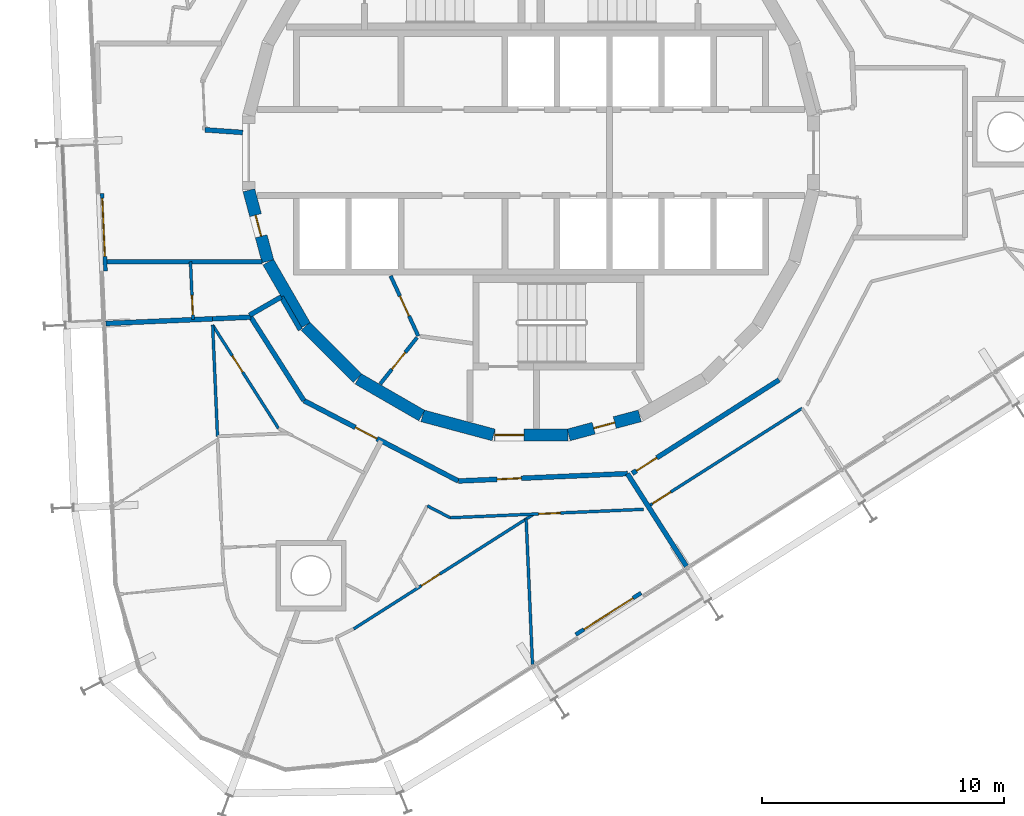
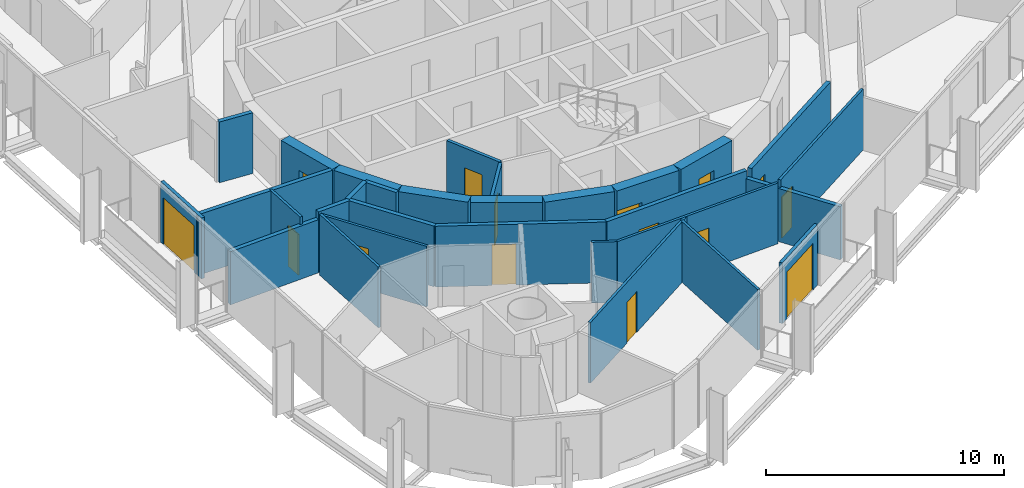
# One storey, part 12 of 18: 30 walls, 15 doors, 15 openings.
"""IFC4 building model written with IfcOpenShell, lengths in metres."""

from ifc_helpers import new_model, si_unit, direction, frame, frame_2d, origin, place, context, subcontext, project, spatial, rectangle, extrude, material, layer, layer_set, type_object, element, fill, save


model = new_model("IFC4")

# Units and contexts
model_context = context("Model", 3, precision=1e-05, world=origin(), true_north=direction((0.0, 1.0)))
body_context = subcontext(model_context, "Body", "Model", "MODEL_VIEW")
ifc_project = project(units=[si_unit("LENGTHUNIT", "METRE"), si_unit("AREAUNIT", "SQUARE_METRE"), si_unit("VOLUMEUNIT", "CUBIC_METRE"), si_unit("PLANEANGLEUNIT", "RADIAN"), si_unit("MASSUNIT", "GRAM", prefix="KILO")], contexts=[model_context])

# Site, building, storey
site_placement = place(None, origin())
site = spatial("IfcSite", under=ifc_project, at=site_placement, CompositionType="ELEMENT")
building_placement = place(site_placement, origin())
building = spatial("IfcBuilding", under=site, at=building_placement, Name="Spindle Arch Residences", CompositionType="ELEMENT")
storey_placement = place(building_placement, frame((0.0, 0.0, 233.699951171875)))
storey = spatial("IfcBuildingStorey", under=building, at=storey_placement, Name="L59", CompositionType="ELEMENT", Elevation=233.699951171875)

# Wall, opening, door
ifc_material_1 = material(Name="Concrete C50/60", Category="concrete")
ifc_layer_1 = layer(ifc_material_1, 0.5)
ifc_layer_set_1 = layer_set([ifc_layer_1], Name="Core outline wall 500")
wall_type_1 = type_object("IfcWallType", Name="Core outline wall 500", PredefinedType="SHEAR", material=ifc_layer_set_1)
wall_1_placement = place(storey_placement, frame((1.5498046875, -11.642822265625, 0.0), z_axis=(0.0, 0.0, 1.0), x_axis=(0.965948410781, 0.258734743916, 0.0)))
wall_1 = element("IfcWall", 1, at=wall_1_placement, inside=storey, type_object=wall_type_1, Name="Core outline wall 1", PredefinedType="SHEAR", context=body_context, shape_type="SweptSolid", body=[
    extrude(rectangle(XDim=3.03271484375, YDim=0.5, at=frame_2d((1.516357421875, 0.0))), origin(), (0.0, 0.0, 1.0), 3.1201171875),
])
opening_1_placement = place(wall_1_placement, frame((1.06640625, 0.0, 0.0)))
opening_1 = element("IfcOpeningElement", 2, at=opening_1_placement, cuts=wall_1, Name="Opening R6A0-WD09", PredefinedType="OPENING", context=body_context, shape_type="SweptSolid", body=[
    extrude(rectangle(XDim=0.89990234375, YDim=2.10009765625, at=frame_2d((0.449951171875, 1.050048828125))), frame((0.0, 0.260009765625, 0.0), z_axis=(0.0, -1.0, 0.0), x_axis=(1.0, 0.0, 0.0)), (0.0, 0.0, 1.0), 0.52001953125),
])
ifc_material_2 = material(Name="Steel, fire-resisting door", Category="steel")
door_type_1 = type_object("IfcDoorType", Name="Service room door 900x2100", OperationType="SINGLE_SWING_LEFT", PredefinedType="DOOR", material=ifc_material_2)
door_1_placement = place(opening_1_placement, origin())
door_1 = element("IfcDoor", 3, at=door_1_placement, inside=storey, type_object=door_type_1, Name="Service room door R6A0-WD09", OperationType="SINGLE_SWING_LEFT", OverallHeight=2.10009765625, OverallWidth=0.89990234375, PredefinedType="DOOR", context=body_context, shape_type="SweptSolid", body=[
    extrude(rectangle(XDim=0.89990234375, YDim=2.10009765625, at=frame_2d((0.449951171875, 1.050048828125))), frame((0.0, 0.02490234375, 0.0), z_axis=(0.0, -1.0, 0.0), x_axis=(1.0, 0.0, 0.0)), (0.0, 0.0, 1.0), 0.050048828125),
])
fill(opening_1, door_1)

wall_2_placement = place(storey_placement, frame((-11.642822265625, -1.5498046875, 0.0), z_axis=(0.0, 0.0, 1.0), x_axis=(0.258734743916, -0.965948410781, 0.0)))
wall_2 = element("IfcWall", 4, at=wall_2_placement, inside=storey, type_object=wall_type_1, Name="Core outline wall 19", PredefinedType="SHEAR", context=body_context, shape_type="SweptSolid", body=[
    extrude(rectangle(XDim=3.03271484375, YDim=0.5, at=frame_2d((1.516357421875, 0.0))), origin(), (0.0, 0.0, 1.0), 3.1201171875),
])
opening_2_placement = place(wall_2_placement, frame((1.06640625, 0.0, 0.0)))
opening_2 = element("IfcOpeningElement", 5, at=opening_2_placement, cuts=wall_2, Name="Opening R6A0-WD10", PredefinedType="OPENING", context=body_context, shape_type="SweptSolid", body=[
    extrude(rectangle(XDim=0.89990234375, YDim=2.10009765625, at=frame_2d((0.449951171875, 1.050048828125))), frame((0.0, 0.260009765625, 0.0), z_axis=(0.0, -1.0, 0.0), x_axis=(1.0, 0.0, 0.0)), (0.0, 0.0, 1.0), 0.52001953125),
])
door_2_placement = place(opening_2_placement, origin())
door_2 = element("IfcDoor", 6, at=door_2_placement, inside=storey, type_object=door_type_1, Name="Service room door R6A0-WD10", OperationType="SINGLE_SWING_RIGHT", OverallHeight=2.10009765625, OverallWidth=0.89990234375, PredefinedType="DOOR", context=body_context, shape_type="SweptSolid", body=[
    extrude(rectangle(XDim=0.89990234375, YDim=2.10009765625, at=frame_2d((0.449951171875, 1.050048828125))), frame((0.0, 0.02490234375, 0.0), z_axis=(0.0, -1.0, 0.0), x_axis=(1.0, 0.0, 0.0)), (0.0, 0.0, 1.0), 0.050048828125),
])
fill(opening_2, door_2)

# Walls
wall_3_placement = place(storey_placement, frame((-10.84521484375, -4.510498046875, 0.0), z_axis=(0.0, 0.0, 1.0), x_axis=(0.500087131594, -0.865975092491, 0.0)))
element("IfcWall", 7, at=wall_3_placement, inside=storey, type_object=wall_type_1, Name="Core outline wall 20", PredefinedType="SHEAR", context=body_context, shape_type="SweptSolid", body=[
    extrude(rectangle(XDim=3.03271484375, YDim=0.5, at=frame_2d((1.516357421875, 0.0))), origin(), (0.0, 0.0, 1.0), 3.1201171875),
])
wall_4_placement = place(storey_placement, frame((-9.30810546875, -7.163818359375, 0.0), z_axis=(0.0, 0.0, 1.0), x_axis=(0.707106781187, -0.707106781187, 0.0)))
element("IfcWall", 8, at=wall_4_placement, inside=storey, type_object=wall_type_1, Name="Core outline wall 21", PredefinedType="SHEAR", context=body_context, shape_type="SweptSolid", body=[
    extrude(rectangle(XDim=3.032470703125, YDim=0.5, at=frame_2d((1.51611328125, 0.0))), origin(), (0.0, 0.0, 1.0), 3.1201171875),
])
for number, where, z_axis, x_axis, name in (
    (9, (-7.13671875, -9.32861328125, 0.0), (0.0, 0.0, 1.0), (0.865975092491, -0.500087131594, 0.0), "Core outline wall 22"),
    (10, (-4.479248046875, -10.858154296875, 0.0), (0.0, 0.0, 1.0), (0.965948410781, -0.258734743916, 0.0), "Core outline wall 23"),
):
    element("IfcWall", number, at=place(storey_placement, frame(where, z_axis=z_axis, x_axis=x_axis)), inside=storey, type_object=wall_type_1, Name=name, PredefinedType="SHEAR", context=body_context, shape_type="SweptSolid", body=[
        extrude(rectangle(XDim=3.03271484375, YDim=0.5, at=frame_2d((1.516357421875, 0.0))), origin(), (0.0, 0.0, 1.0), 3.1201171875),
    ])

# Wall, opening, door
wall_5_placement = place(storey_placement, frame((-1.516357421875, -11.647216796875, 0.0), z_axis=(0.0, 0.0, 1.0), x_axis=(1.0, 0.0, 0.0)))
wall_5 = element("IfcWall", 11, at=wall_5_placement, inside=storey, type_object=wall_type_1, Name="Core outline wall 24", PredefinedType="SHEAR", context=body_context, shape_type="SweptSolid", body=[
    extrude(rectangle(XDim=3.03271484375, YDim=0.5, at=frame_2d((1.516357421875, 0.0))), origin(), (0.0, 0.0, 1.0), 3.1201171875),
])
opening_3_placement = place(wall_5_placement, frame((0.016357421875, 0.0, 0.0)))
opening_3 = element("IfcOpeningElement", 12, at=opening_3_placement, cuts=wall_5, Name="Opening R6A0-AD03", PredefinedType="OPENING", context=body_context, shape_type="SweptSolid", body=[
    extrude(rectangle(XDim=1.199951171875, YDim=2.10009765625, at=frame_2d((0.60009765625, 1.050048828125))), frame((0.0, 0.260009765625, 0.0), z_axis=(0.0, -1.0, 0.0), x_axis=(1.0, 0.0, 0.0)), (0.0, 0.0, 1.0), 0.52001953125),
])
ifc_material_3 = material(Name="Steel, fire-resisting door", Category="steel")
door_type_2 = type_object("IfcDoorType", Name="Stair airlock door 1200x2100", OperationType="SINGLE_SWING_LEFT", PredefinedType="DOOR", material=ifc_material_3)
door_3_placement = place(opening_3_placement, origin())
door_3 = element("IfcDoor", 13, at=door_3_placement, inside=storey, type_object=door_type_2, Name="Stair airlock door R6A0-AD03", OperationType="SINGLE_SWING_RIGHT", OverallHeight=2.10009765625, OverallWidth=1.199951171875, PredefinedType="DOOR", context=body_context, shape_type="SweptSolid", body=[
    extrude(rectangle(XDim=1.199951171875, YDim=2.10009765625, at=frame_2d((0.60009765625, 1.050048828125))), frame((0.0, 0.02490234375, 0.0), z_axis=(0.0, -1.0, 0.0), x_axis=(1.0, 0.0, 0.0)), (0.0, 0.0, 1.0), 0.050048828125),
])
fill(opening_3, door_3)

# Walls
ifc_material_4 = material(Name="Calcium silicate block, plastered")
ifc_layer_2 = layer(ifc_material_4, 0.199951171875)
ifc_layer_set_2 = layer_set([ifc_layer_2], Name="Corridor wall 200")
wall_type_2 = type_object("IfcWallType", Name="Corridor wall 200", PredefinedType="STANDARD", material=ifc_layer_set_2)
wall_6_placement = place(storey_placement, frame((-10.303466796875, -5.94873046875, 0.0), z_axis=(0.0, 0.0, 1.0), x_axis=(-0.866043382451, -0.499968858743, 0.0)))
element("IfcWall", 14, at=wall_6_placement, inside=storey, type_object=wall_type_2, Name="Corridor wall R6A0-W016", PredefinedType="STANDARD", context=body_context, shape_type="SweptSolid", body=[
    extrude(rectangle(XDim=1.51513671875, YDim=0.199951171875, at=frame_2d((0.757568359375, 0.0))), origin(), (0.0, 0.0, 1.0), 3.1201171875),
])
wall_7_placement = place(storey_placement, frame((-9.520263671875, -7.30517578125, 0.0), z_axis=(0.0, 0.0, 1.0), x_axis=(-0.500028278809, 0.866009076391, 0.0)))
element("IfcWall", 15, at=wall_7_placement, inside=storey, type_object=wall_type_2, Name="Corridor wall R6A0-W017", PredefinedType="STANDARD", context=body_context, shape_type="SweptSolid", body=[
    extrude(rectangle(XDim=1.56640625, YDim=0.199951171875, at=frame_2d((0.783203125, 0.0))), origin(), (0.0, 0.0, 1.0), 3.1201171875),
])
wall_8_placement = place(storey_placement, frame((-11.565185546875, -6.785888671875, 0.0), z_axis=(0.0, 0.0, 1.0), x_axis=(0.537297327359, -0.843392898958, 0.0)))
element("IfcWall", 16, at=wall_8_placement, inside=storey, type_object=wall_type_2, Name="Corridor wall R6A0-W018", PredefinedType="STANDARD", context=body_context, shape_type="SweptSolid", body=[
    extrude(rectangle(XDim=4.081298828125, YDim=0.199951171875, at=frame_2d((2.04052734375, 0.0))), origin(), (0.0, 0.0, 1.0), 3.1201171875),
])

# Wall, opening, door
wall_9_placement = place(storey_placement, frame((-9.372314453125, -10.22802734375, 0.0), z_axis=(0.0, 0.0, 1.0), x_axis=(0.887005184532, -0.461759464021, 0.0)))
wall_9 = element("IfcWall", 17, at=wall_9_placement, inside=storey, type_object=wall_type_2, Name="Corridor wall R6A0-W019", PredefinedType="STANDARD", context=body_context, shape_type="SweptSolid", body=[
    extrude(rectangle(XDim=7.18115234375, YDim=0.199951171875, at=frame_2d((3.590576171875, 0.0))), origin(), (0.0, 0.0, 1.0), 3.1201171875),
])
opening_4_placement = place(wall_9_placement, frame((2.390625, 0.0, 0.0)))
opening_4 = element("IfcOpeningElement", 18, at=opening_4_placement, cuts=wall_9, Name="Opening R6A0-FD04", PredefinedType="OPENING", context=body_context, shape_type="SweptSolid", body=[
    extrude(rectangle(XDim=1.0, YDim=2.10009765625, at=frame_2d((0.5, 1.050048828125))), frame((0.0, 0.10986328125, 0.0), z_axis=(0.0, -1.0, 0.0), x_axis=(1.0, 0.0, 0.0)), (0.0, 0.0, 1.0), 0.219970703125),
])
ifc_material_5 = material(Name="Timber, fire-resisting door set", Category="wood")
door_type_3 = type_object("IfcDoorType", Name="Flat entrance door 1000x2100", OperationType="NOTDEFINED", PredefinedType="DOOR", material=ifc_material_5)
door_4_placement = place(opening_4_placement, origin())
door_4 = element("IfcDoor", 19, at=door_4_placement, inside=storey, type_object=door_type_3, Name="Flat entrance door R6A0-FD04", OperationType="SINGLE_SWING_RIGHT", OverallHeight=2.10009765625, OverallWidth=1.0, PredefinedType="DOOR", context=body_context, shape_type="SweptSolid", body=[
    extrude(rectangle(XDim=1.0, YDim=2.10009765625, at=frame_2d((0.5, 1.050048828125))), frame((0.0, 0.02490234375, 0.0), z_axis=(0.0, -1.0, 0.0), x_axis=(1.0, 0.0, 0.0)), (0.0, 0.0, 1.0), 0.050048828125),
])
fill(opening_4, door_4)

wall_10_placement = place(storey_placement, frame((-3.002685546875, -13.5439453125, 0.0), z_axis=(0.0, 0.0, 1.0), x_axis=(0.999048221872, 0.043619380718, 0.0)))
wall_10 = element("IfcWall", 20, at=wall_10_placement, inside=storey, type_object=wall_type_2, Name="Corridor wall R6A0-W020", PredefinedType="STANDARD", context=body_context, shape_type="SweptSolid", body=[
    extrude(rectangle(XDim=6.9794921875, YDim=0.199951171875, at=frame_2d((3.48974609375, 0.0))), origin(), (0.0, 0.0, 1.0), 3.1201171875),
])
opening_5_placement = place(wall_10_placement, frame((1.60009765625, 0.0, 0.0)))
opening_5 = element("IfcOpeningElement", 21, at=opening_5_placement, cuts=wall_10, Name="Opening R6A0-FD05", PredefinedType="OPENING", context=body_context, shape_type="SweptSolid", body=[
    extrude(rectangle(XDim=1.0, YDim=2.10009765625, at=frame_2d((0.5, 1.050048828125))), frame((0.0, 0.10986328125, 0.0), z_axis=(0.0, -1.0, 0.0), x_axis=(1.0, 0.0, 0.0)), (0.0, 0.0, 1.0), 0.219970703125),
])
door_5_placement = place(opening_5_placement, origin())
door_5 = element("IfcDoor", 22, at=door_5_placement, inside=storey, type_object=door_type_3, Name="Flat entrance door R6A0-FD05", OperationType="SINGLE_SWING_LEFT", OverallHeight=2.10009765625, OverallWidth=1.0, PredefinedType="DOOR", context=body_context, shape_type="SweptSolid", body=[
    extrude(rectangle(XDim=1.0, YDim=2.10009765625, at=frame_2d((0.5, 1.050048828125))), frame((0.0, 0.02490234375, 0.0), z_axis=(0.0, -1.0, 0.0), x_axis=(1.0, 0.0, 0.0)), (0.0, 0.0, 1.0), 0.050048828125),
])
fill(opening_5, door_5)

wall_11_placement = place(storey_placement, frame((4.171630859375, -13.230712890625, 0.0), z_axis=(0.0, 0.0, 1.0), x_axis=(0.843388394728, 0.537304397561, 0.0)))
wall_11 = element("IfcWall", 23, at=wall_11_placement, inside=storey, type_object=wall_type_2, Name="Corridor wall R6A0-W021", PredefinedType="STANDARD", context=body_context, shape_type="SweptSolid", body=[
    extrude(rectangle(XDim=7.180908203125, YDim=0.199951171875, at=frame_2d((3.59033203125, 0.0))), origin(), (0.0, 0.0, 1.0), 3.1201171875),
])
opening_6_placement = place(wall_11_placement, frame((0.199951171875, 0.0, 0.0)))
opening_6 = element("IfcOpeningElement", 24, at=opening_6_placement, cuts=wall_11, Name="Opening R6A0-FD06", PredefinedType="OPENING", context=body_context, shape_type="SweptSolid", body=[
    extrude(rectangle(XDim=1.0, YDim=2.10009765625, at=frame_2d((0.5, 1.050048828125))), frame((0.0, 0.10986328125, 0.0), z_axis=(0.0, -1.0, 0.0), x_axis=(1.0, 0.0, 0.0)), (0.0, 0.0, 1.0), 0.219970703125),
])
door_6_placement = place(opening_6_placement, origin())
door_6 = element("IfcDoor", 25, at=door_6_placement, inside=storey, type_object=door_type_3, Name="Flat entrance door R6A0-FD06", OperationType="SINGLE_SWING_LEFT", OverallHeight=2.10009765625, OverallWidth=1.0, PredefinedType="DOOR", context=body_context, shape_type="SweptSolid", body=[
    extrude(rectangle(XDim=1.0, YDim=2.10009765625, at=frame_2d((0.5, 1.050048828125))), frame((0.0, 0.02490234375, 0.0), z_axis=(0.0, -1.0, 0.0), x_axis=(1.0, 0.0, 0.0)), (0.0, 0.0, 1.0), 0.050048828125),
])
fill(opening_6, door_6)

ifc_material_6 = material(Name="Plasterboard on steel studs", Category="steel")
ifc_layer_3 = layer(ifc_material_6, 0.1201171875)
ifc_layer_set_3 = layer_set([ifc_layer_3], Name="Flat partition 120")
wall_type_3 = type_object("IfcWallType", Name="Flat partition 120", PredefinedType="PARTITIONING", material=ifc_layer_set_3)
wall_12_placement = place(storey_placement, frame((-13.947021484375, -6.889892578125, 0.0), z_axis=(0.0, 0.0, 1.0), x_axis=(-0.043680814195, 0.999045537737, 0.0)))
wall_12 = element("IfcWall", 26, at=wall_12_placement, inside=storey, type_object=wall_type_3, Name="Flat partition R6A0-W083", PredefinedType="PARTITIONING", context=body_context, shape_type="SweptSolid", body=[
    extrude(rectangle(XDim=2.39208984375, YDim=0.1201171875, at=frame_2d((1.196044921875, 0.0))), origin(), (0.0, 0.0, 1.0), 3.1201171875),
])
opening_7_placement = place(wall_12_placement, frame((0.199951171875, 0.0, 0.0)))
opening_7 = element("IfcOpeningElement", 27, at=opening_7_placement, cuts=wall_12, Name="Opening R6A0-BD04", PredefinedType="OPENING", context=body_context, shape_type="SweptSolid", body=[
    extrude(rectangle(XDim=0.800048828125, YDim=2.10009765625, at=frame_2d((0.39990234375, 1.050048828125))), frame((0.0, 0.070068359375, 0.0), z_axis=(0.0, -1.0, 0.0), x_axis=(1.0, 0.0, 0.0)), (0.0, 0.0, 1.0), 0.14013671875),
])
ifc_material_7 = material(Name="Timber door set", Category="wood")
door_type_4 = type_object("IfcDoorType", Name="Bathroom door 800x2100", OperationType="NOTDEFINED", PredefinedType="DOOR", material=ifc_material_7)
door_7_placement = place(opening_7_placement, origin())
door_7 = element("IfcDoor", 28, at=door_7_placement, inside=storey, type_object=door_type_4, Name="Bathroom door R6A0-BD04", OperationType="SINGLE_SWING_LEFT", OverallHeight=2.10009765625, OverallWidth=0.800048828125, PredefinedType="DOOR", context=body_context, shape_type="SweptSolid", body=[
    extrude(rectangle(XDim=0.800048828125, YDim=2.10009765625, at=frame_2d((0.39990234375, 1.050048828125))), frame((0.0, 0.02490234375, 0.0), z_axis=(0.0, -1.0, 0.0), x_axis=(1.0, 0.0, 0.0)), (0.0, 0.0, 1.0), 0.050048828125),
])
fill(opening_7, door_7)

wall_13_placement = place(storey_placement, frame((-13.13671875, -7.11083984375, 0.0), z_axis=(0.0, 0.0, 1.0), x_axis=(0.537300549444, -0.843390846267, 0.0)))
wall_13 = element("IfcWall", 29, at=wall_13_placement, inside=storey, type_object=wall_type_3, Name="Flat partition R6A0-W084", PredefinedType="PARTITIONING", context=body_context, shape_type="SweptSolid", body=[
    extrude(rectangle(XDim=5.0537109375, YDim=0.1201171875, at=frame_2d((2.52685546875, 0.0))), origin(), (0.0, 0.0, 1.0), 3.1201171875),
])
opening_8_placement = place(wall_13_placement, frame((1.5, 0.0, 0.0)))
opening_8 = element("IfcOpeningElement", 30, at=opening_8_placement, cuts=wall_13, Name="Opening R6A0-BD05", PredefinedType="OPENING", context=body_context, shape_type="SweptSolid", body=[
    extrude(rectangle(XDim=0.800048828125, YDim=2.10009765625, at=frame_2d((0.39990234375, 1.050048828125))), frame((0.0, 0.070068359375, 0.0), z_axis=(0.0, -1.0, 0.0), x_axis=(1.0, 0.0, 0.0)), (0.0, 0.0, 1.0), 0.14013671875),
])
door_8_placement = place(opening_8_placement, origin())
door_8 = element("IfcDoor", 31, at=door_8_placement, inside=storey, type_object=door_type_4, Name="Bathroom door R6A0-BD05", OperationType="SINGLE_SWING_RIGHT", OverallHeight=2.10009765625, OverallWidth=0.800048828125, PredefinedType="DOOR", context=body_context, shape_type="SweptSolid", body=[
    extrude(rectangle(XDim=0.800048828125, YDim=2.10009765625, at=frame_2d((0.39990234375, 1.050048828125))), frame((0.0, 0.02490234375, 0.0), z_axis=(0.0, -1.0, 0.0), x_axis=(1.0, 0.0, 0.0)), (0.0, 0.0, 1.0), 0.050048828125),
])
fill(opening_8, door_8)

# Walls
wall_14_placement = place(storey_placement, frame((-12.936279296875, -11.70263671875, 0.0), z_axis=(0.0, 0.0, 1.0), x_axis=(-0.043610108597, 0.999048626658, 0.0)))
element("IfcWall", 32, at=wall_14_placement, inside=storey, type_object=wall_type_3, Name="Flat partition R6A0-W086", PredefinedType="PARTITIONING", context=body_context, shape_type="SweptSolid", body=[
    extrude(rectangle(XDim=4.59619140625, YDim=0.1201171875, at=frame_2d((2.298095703125, 0.0))), origin(), (0.0, 0.0, 1.0), 3.1201171875),
])
wall_15_placement = place(storey_placement, frame((-4.28515625, -14.5673828125, 0.0), z_axis=(0.0, 0.0, 1.0), x_axis=(0.887033177378, -0.46170568789, 0.0)))
element("IfcWall", 33, at=wall_15_placement, inside=storey, type_object=wall_type_3, Name="Flat partition R6A0-W099", PredefinedType="PARTITIONING", context=body_context, shape_type="SweptSolid", body=[
    extrude(rectangle(XDim=1.067138671875, YDim=0.1201171875, at=frame_2d((0.53369140625, 0.0))), origin(), (0.0, 0.0, 1.0), 3.1201171875),
])

# Wall, opening, door
wall_16_placement = place(storey_placement, frame((-3.338623046875, -15.06005859375, 0.0), z_axis=(0.0, 0.0, 1.0), x_axis=(0.999047716945, 0.043630943905, 0.0)))
wall_16 = element("IfcWall", 34, at=wall_16_placement, inside=storey, type_object=wall_type_3, Name="Flat partition R6A0-W100", PredefinedType="PARTITIONING", context=body_context, shape_type="SweptSolid", body=[
    extrude(rectangle(XDim=7.98486328125, YDim=0.1201171875, at=frame_2d((3.992431640625, 0.0))), origin(), (0.0, 0.0, 1.0), 3.1201171875),
])
opening_9_placement = place(wall_16_placement, frame((3.653564453125, 0.0, 0.0)))
opening_9 = element("IfcOpeningElement", 35, at=opening_9_placement, cuts=wall_16, Name="Opening R6A0-ID20", PredefinedType="OPENING", context=body_context, shape_type="SweptSolid", body=[
    extrude(rectangle(XDim=0.89990234375, YDim=2.10009765625, at=frame_2d((0.449951171875, 1.050048828125))), frame((0.0, 0.070068359375, 0.0), z_axis=(0.0, -1.0, 0.0), x_axis=(1.0, 0.0, 0.0)), (0.0, 0.0, 1.0), 0.14013671875),
])
ifc_material_8 = material(Name="Timber door set", Category="wood")
door_type_5 = type_object("IfcDoorType", Name="Room door 900x2100", OperationType="NOTDEFINED", PredefinedType="DOOR", material=ifc_material_8)
door_9_placement = place(opening_9_placement, origin())
door_9 = element("IfcDoor", 36, at=door_9_placement, inside=storey, type_object=door_type_5, Name="Room door R6A0-ID20", OperationType="SINGLE_SWING_LEFT", OverallHeight=2.10009765625, OverallWidth=0.89990234375, PredefinedType="DOOR", context=body_context, shape_type="SweptSolid", body=[
    extrude(rectangle(XDim=0.89990234375, YDim=2.10009765625, at=frame_2d((0.449951171875, 1.050048828125))), frame((0.0, 0.02490234375, 0.0), z_axis=(0.0, -1.0, 0.0), x_axis=(1.0, 0.0, 0.0)), (0.0, 0.0, 1.0), 0.050048828125),
])
fill(opening_9, door_9)

wall_17_placement = place(storey_placement, frame((-7.322021484375, -19.64501953125, 0.0), z_axis=(0.0, 0.0, 1.0), x_axis=(0.843385361817, 0.537309158188, 0.0)))
wall_17 = element("IfcWall", 37, at=wall_17_placement, inside=storey, type_object=wall_type_3, Name="Flat partition R6A0-W106", PredefinedType="PARTITIONING", context=body_context, shape_type="SweptSolid", body=[
    extrude(rectangle(XDim=8.81396484375, YDim=0.1201171875, at=frame_2d((4.406982421875, 0.0))), origin(), (0.0, 0.0, 1.0), 3.1201171875),
])
opening_10_placement = place(wall_17_placement, frame((3.314208984375, 0.0, 0.0)))
opening_10 = element("IfcOpeningElement", 38, at=opening_10_placement, cuts=wall_17, Name="Opening R6A0-ID21", PredefinedType="OPENING", context=body_context, shape_type="SweptSolid", body=[
    extrude(rectangle(XDim=0.89990234375, YDim=2.10009765625, at=frame_2d((0.449951171875, 1.050048828125))), frame((0.0, 0.070068359375, 0.0), z_axis=(0.0, -1.0, 0.0), x_axis=(1.0, 0.0, 0.0)), (0.0, 0.0, 1.0), 0.14013671875),
])
door_10_placement = place(opening_10_placement, origin())
door_10 = element("IfcDoor", 39, at=door_10_placement, inside=storey, type_object=door_type_5, Name="Room door R6A0-ID21", OperationType="SINGLE_SWING_LEFT", OverallHeight=2.10009765625, OverallWidth=0.89990234375, PredefinedType="DOOR", context=body_context, shape_type="SweptSolid", body=[
    extrude(rectangle(XDim=0.89990234375, YDim=2.10009765625, at=frame_2d((0.449951171875, 1.050048828125))), frame((0.0, 0.02490234375, 0.0), z_axis=(0.0, -1.0, 0.0), x_axis=(1.0, 0.0, 0.0)), (0.0, 0.0, 1.0), 0.050048828125),
])
fill(opening_10, door_10)

# Wall
wall_18_placement = place(storey_placement, frame((0.05615234375, -21.110107421875, 0.0), z_axis=(0.0, 0.0, 1.0), x_axis=(-0.043629559022, 0.999047777426, 0.0)))
element("IfcWall", 40, at=wall_18_placement, inside=storey, type_object=wall_type_3, Name="Flat partition R6A0-W108", PredefinedType="PARTITIONING", context=body_context, shape_type="SweptSolid", body=[
    extrude(rectangle(XDim=6.004150390625, YDim=0.1201171875, at=frame_2d((3.001953125, 0.0))), origin(), (0.0, 0.0, 1.0), 3.1201171875),
])

# Wall, opening, door
wall_19_placement = place(storey_placement, frame((4.830322265625, -14.589599609375, 0.0), z_axis=(0.0, 0.0, 1.0), x_axis=(0.843393042763, 0.537297101629, 0.0)))
wall_19 = element("IfcWall", 41, at=wall_19_placement, inside=storey, type_object=wall_type_3, Name="Flat partition R6A0-W109", PredefinedType="PARTITIONING", context=body_context, shape_type="SweptSolid", body=[
    extrude(rectangle(XDim=7.530029296875, YDim=0.1201171875, at=frame_2d((3.76513671875, 0.0))), origin(), (0.0, 0.0, 1.0), 3.1201171875),
])
opening_11_placement = place(wall_19_placement, frame((0.199951171875, 0.0, 0.0)))
opening_11 = element("IfcOpeningElement", 42, at=opening_11_placement, cuts=wall_19, Name="Opening R6A0-ID23", PredefinedType="OPENING", context=body_context, shape_type="SweptSolid", body=[
    extrude(rectangle(XDim=0.89990234375, YDim=2.10009765625, at=frame_2d((0.449951171875, 1.050048828125))), frame((0.0, 0.070068359375, 0.0), z_axis=(0.0, -1.0, 0.0), x_axis=(1.0, 0.0, 0.0)), (0.0, 0.0, 1.0), 0.14013671875),
])
door_11_placement = place(opening_11_placement, origin())
door_11 = element("IfcDoor", 43, at=door_11_placement, inside=storey, type_object=door_type_5, Name="Room door R6A0-ID23", OperationType="SINGLE_SWING_LEFT", OverallHeight=2.10009765625, OverallWidth=0.89990234375, PredefinedType="DOOR", context=body_context, shape_type="SweptSolid", body=[
    extrude(rectangle(XDim=0.89990234375, YDim=2.10009765625, at=frame_2d((0.449951171875, 1.050048828125))), frame((0.0, 0.02490234375, 0.0), z_axis=(0.0, -1.0, 0.0), x_axis=(1.0, 0.0, 0.0)), (0.0, 0.0, 1.0), 0.050048828125),
])
fill(opening_11, door_11)

# Walls
ifc_material_9 = material(Name="Calcium silicate block, plastered")
ifc_layer_4 = layer(ifc_material_9, 0.199951171875)
ifc_layer_set_4 = layer_set([ifc_layer_4], Name="Flat party wall 200")
wall_type_4 = type_object("IfcWallType", Name="Flat party wall 200", PredefinedType="STANDARD", material=ifc_layer_set_4)
wall_20_placement = place(storey_placement, frame((-13.14794921875, -6.85498046875, 0.0), z_axis=(0.0, 0.0, 1.0), x_axis=(0.999048583464, 0.043611098121, 0.0)))
element("IfcWall", 44, at=wall_20_placement, inside=storey, type_object=wall_type_4, Name="Flat party wall R6A0-W036", PredefinedType="STANDARD", context=body_context, shape_type="SweptSolid", body=[
    extrude(rectangle(XDim=1.584228515625, YDim=0.199951171875, at=frame_2d((0.7919921875, 0.0))), origin(), (0.0, 0.0, 1.0), 3.1201171875),
])
ifc_material_10 = material(Name="Calcium silicate block, plastered")
ifc_layer_5 = layer(ifc_material_10, 0.199951171875)
ifc_layer_set_5 = layer_set([ifc_layer_5], Name="Flat party wall 200 under beam 2730")
wall_type_5 = type_object("IfcWallType", Name="Flat party wall 200 under beam 2730", PredefinedType="STANDARD", material=ifc_layer_set_5)
wall_21_placement = place(storey_placement, frame((-17.543701171875, -7.047119140625, 0.0), z_axis=(0.0, 0.0, 1.0), x_axis=(0.99904608111, 0.043668384662, 0.0)))
element("IfcWall", 45, at=wall_21_placement, inside=storey, type_object=wall_type_5, Name="Flat party wall R6A0-W035", PredefinedType="STANDARD", context=body_context, shape_type="SweptSolid", body=[
    extrude(rectangle(XDim=4.39990234375, YDim=0.199951171875, at=frame_2d((2.199951171875, 0.0))), origin(), (0.0, 0.0, 1.0), 2.72998046875),
])
wall_22_placement = place(storey_placement, frame((6.406982421875, -17.064208984375, 0.0), z_axis=(0.0, 0.0, 1.0), x_axis=(-0.537324777979, 0.843375410461, 0.0)))
element("IfcWall", 46, at=wall_22_placement, inside=storey, type_object=wall_type_5, Name="Flat party wall R6A0-W040", PredefinedType="STANDARD", context=body_context, shape_type="SweptSolid", body=[
    extrude(rectangle(XDim=4.534912109375, YDim=0.199951171875, at=frame_2d((2.267578125, 0.0))), origin(), (0.0, 0.0, 1.0), 2.72998046875),
])

# Wall, opening, door
ifc_material_11 = material(Name="Non-combustible mineral wool insulated aluminium faced external wall (K0)", Category="aluminium")
ifc_layer_6 = layer(ifc_material_11, 0.159912109375)
ifc_layer_set_6 = layer_set([ifc_layer_6], Name="Insulated external wall panel 160")
wall_type_6 = type_object("IfcWallType", Name="Insulated external wall panel 160", PredefinedType="STANDARD", material=ifc_layer_set_6)
wall_23_placement = place(storey_placement, frame((-17.69775390625, -1.68359375, 0.0), z_axis=(0.0, 0.0, 1.0), x_axis=(0.043639181999, -0.999047357133, 0.0)))
wall_23 = element("IfcWall", 47, at=wall_23_placement, inside=storey, type_object=wall_type_6, Name="External wall L59 bay 15", PredefinedType="STANDARD", context=body_context, shape_type="SweptSolid", body=[
    extrude(rectangle(XDim=3.199951171875, YDim=0.159912109375, at=frame_2d((1.60009765625, 0.0))), origin(), (0.0, 0.0, 1.0), 3.1201171875),
])
opening_12_placement = place(wall_23_placement, frame((0.199951171875, 0.0, 0.0)))
opening_12 = element("IfcOpeningElement", 48, at=opening_12_placement, cuts=wall_23, Name="Opening BD15", PredefinedType="OPENING", context=body_context, shape_type="SweptSolid", body=[
    extrude(rectangle(XDim=2.39990234375, YDim=2.39990234375, at=frame_2d((1.199951171875, 1.199951171875))), frame((0.0, 0.08984375, 0.0), z_axis=(0.0, -1.0, 0.0), x_axis=(1.0, 0.0, 0.0)), (0.0, 0.0, 1.0), 0.179931640625),
])
ifc_material_12 = material(Name="Bronze aluminium frame, tinted double glazing", Category="aluminium")
door_type_6 = type_object("IfcDoorType", Name="Sliding glazed balcony door 2400x2400", OperationType="DOUBLE_DOOR_SLIDING", PredefinedType="DOOR", material=ifc_material_12)
door_12_placement = place(opening_12_placement, origin())
door_12 = element("IfcDoor", 49, at=door_12_placement, inside=storey, type_object=door_type_6, Name="Balcony door BD15", OperationType="DOUBLE_DOOR_SLIDING", OverallHeight=2.39990234375, OverallWidth=2.39990234375, PredefinedType="DOOR", context=body_context, shape_type="SweptSolid", body=[
    extrude(rectangle(XDim=2.39990234375, YDim=2.39990234375, at=frame_2d((1.199951171875, 1.199951171875))), frame((0.0, 0.02490234375, 0.0), z_axis=(0.0, -1.0, 0.0), x_axis=(1.0, 0.0, 0.0)), (0.0, 0.0, 1.0), 0.050048828125),
])
fill(opening_12, door_12)

wall_24_placement = place(storey_placement, frame((1.839111328125, -19.87939453125, 0.0), z_axis=(0.0, 0.0, 1.0), x_axis=(0.843419508298, 0.53725555653, 0.0)))
wall_24 = element("IfcWall", 50, at=wall_24_placement, inside=storey, type_object=wall_type_6, Name="External wall L59 bay 21", PredefinedType="STANDARD", context=body_context, shape_type="SweptSolid", body=[
    extrude(rectangle(XDim=3.199951171875, YDim=0.159912109375, at=frame_2d((1.60009765625, 0.0))), origin(), (0.0, 0.0, 1.0), 3.1201171875),
])
opening_13_placement = place(wall_24_placement, frame((0.39990234375, 0.0, 0.0)))
opening_13 = element("IfcOpeningElement", 51, at=opening_13_placement, cuts=wall_24, Name="Opening BD21", PredefinedType="OPENING", context=body_context, shape_type="SweptSolid", body=[
    extrude(rectangle(XDim=2.39990234375, YDim=2.39990234375, at=frame_2d((1.199951171875, 1.199951171875))), frame((0.0, 0.08984375, 0.0), z_axis=(0.0, -1.0, 0.0), x_axis=(1.0, 0.0, 0.0)), (0.0, 0.0, 1.0), 0.179931640625),
])
door_13_placement = place(opening_13_placement, origin())
door_13 = element("IfcDoor", 52, at=door_13_placement, inside=storey, type_object=door_type_6, Name="Balcony door BD21", OperationType="DOUBLE_DOOR_SLIDING", OverallHeight=2.39990234375, OverallWidth=2.39990234375, PredefinedType="DOOR", context=body_context, shape_type="SweptSolid", body=[
    extrude(rectangle(XDim=2.39990234375, YDim=2.39990234375, at=frame_2d((1.199951171875, 1.199951171875))), frame((0.0, 0.02490234375, 0.0), z_axis=(0.0, -1.0, 0.0), x_axis=(1.0, 0.0, 0.0)), (0.0, 0.0, 1.0), 0.050048828125),
])
fill(opening_13, door_13)

# Walls
ifc_material_13 = material(Name="Calcium silicate block, plastered")
ifc_layer_7 = layer(ifc_material_13, 0.199951171875)
ifc_layer_set_7 = layer_set([ifc_layer_7], Name="Lift lobby bay wall 200")
wall_type_7 = type_object("IfcWallType", Name="Lift lobby bay wall 200", PredefinedType="STANDARD", material=ifc_layer_set_7)
wall_25_placement = place(storey_placement, frame((-13.453857421875, 0.94091796875, 0.0), z_axis=(0.0, 0.0, 1.0), x_axis=(0.99755155062, -0.069934997354, 0.0)))
element("IfcWall", 53, at=wall_25_placement, inside=storey, type_object=wall_type_7, Name="Lift lobby bay wall R6A0-W009", PredefinedType="STANDARD", context=body_context, shape_type="SweptSolid", body=[
    extrude(rectangle(XDim=1.560546875, YDim=0.199951171875, at=frame_2d((0.7802734375, 0.0))), origin(), (0.0, 0.0, 1.0), 3.1201171875),
])
wall_26_placement = place(storey_placement, frame((-17.65478515625, -4.5, 0.0), z_axis=(0.0, 0.0, 1.0), x_axis=(1.0, 0.0, 0.0)))
element("IfcWall", 54, at=wall_26_placement, inside=storey, type_object=wall_type_7, Name="Lift lobby bay wall R6A0-W024", PredefinedType="STANDARD", context=body_context, shape_type="SweptSolid", body=[
    extrude(rectangle(XDim=6.54345703125, YDim=0.199951171875, at=frame_2d((3.271728515625, 0.0))), origin(), (0.0, 0.0, 1.0), 3.1201171875),
])

# Wall, opening, door
ifc_material_14 = material(Name="Concrete C25/30", Category="concrete")
ifc_layer_8 = layer(ifc_material_14, 0.14990234375)
ifc_layer_set_8 = layer_set([ifc_layer_8], Name="Service room partition 150")
wall_type_8 = type_object("IfcWallType", Name="Service room partition 150", PredefinedType="PARTITIONING", material=ifc_layer_set_8)
wall_27_placement = place(storey_placement, frame((-5.794921875, -5.086181640625, 0.0), z_axis=(0.0, 0.0, 1.0), x_axis=(0.417887867606, -0.908498613157, 0.0)))
wall_27 = element("IfcWall", 55, at=wall_27_placement, inside=storey, type_object=wall_type_8, Name="Core service room partition", PredefinedType="PARTITIONING", context=body_context, shape_type="SweptSolid", body=[
    extrude(rectangle(XDim=2.72607421875, YDim=0.14990234375, at=frame_2d((1.363037109375, 0.0))), origin(), (0.0, 0.0, 1.0), 3.1201171875),
])
opening_14_placement = place(wall_27_placement, frame((0.912841796875, 0.0, 0.0)))
opening_14 = element("IfcOpeningElement", 56, at=opening_14_placement, cuts=wall_27, Name="Opening R6A0-WD06", PredefinedType="OPENING", context=body_context, shape_type="SweptSolid", body=[
    extrude(rectangle(XDim=0.89990234375, YDim=2.10009765625, at=frame_2d((0.449951171875, 1.050048828125))), frame((0.0, 0.0849609375, 0.0), z_axis=(0.0, -1.0, 0.0), x_axis=(1.0, 0.0, 0.0)), (0.0, 0.0, 1.0), 0.169921875),
])
door_14_placement = place(opening_14_placement, origin())
door_14 = element("IfcDoor", 57, at=door_14_placement, inside=storey, type_object=door_type_1, Name="Service room door R6A0-WD06", OperationType="SINGLE_SWING_RIGHT", OverallHeight=2.10009765625, OverallWidth=0.89990234375, PredefinedType="DOOR", context=body_context, shape_type="SweptSolid", body=[
    extrude(rectangle(XDim=0.89990234375, YDim=2.10009765625, at=frame_2d((0.449951171875, 1.050048828125))), frame((0.0, 0.02490234375, 0.0), z_axis=(0.0, -1.0, 0.0), x_axis=(1.0, 0.0, 0.0)), (0.0, 0.0, 1.0), 0.050048828125),
])
fill(opening_14, door_14)

wall_28_placement = place(storey_placement, frame((-4.70556640625, -7.62548828125, 0.0), z_axis=(0.0, 0.0, 1.0), x_axis=(-0.621392599334, -0.783499353856, 0.0)))
wall_28 = element("IfcWall", 58, at=wall_28_placement, inside=storey, type_object=wall_type_8, Name="Core service room partition", PredefinedType="PARTITIONING", context=body_context, shape_type="SweptSolid", body=[
    extrude(rectangle(XDim=2.447265625, YDim=0.14990234375, at=frame_2d((1.2236328125, 0.0))), origin(), (0.0, 0.0, 1.0), 3.1201171875),
])
opening_15_placement = place(wall_28_placement, frame((0.773681640625, 0.0, 0.0)))
opening_15 = element("IfcOpeningElement", 59, at=opening_15_placement, cuts=wall_28, Name="Opening R6A0-WD07", PredefinedType="OPENING", context=body_context, shape_type="SweptSolid", body=[
    extrude(rectangle(XDim=0.89990234375, YDim=2.10009765625, at=frame_2d((0.449951171875, 1.050048828125))), frame((0.0, 0.0849609375, 0.0), z_axis=(0.0, -1.0, 0.0), x_axis=(1.0, 0.0, 0.0)), (0.0, 0.0, 1.0), 0.169921875),
])
door_15_placement = place(opening_15_placement, origin())
door_15 = element("IfcDoor", 60, at=door_15_placement, inside=storey, type_object=door_type_1, Name="Service room door R6A0-WD07", OperationType="SINGLE_SWING_LEFT", OverallHeight=2.10009765625, OverallWidth=0.89990234375, PredefinedType="DOOR", context=body_context, shape_type="SweptSolid", body=[
    extrude(rectangle(XDim=0.89990234375, YDim=2.10009765625, at=frame_2d((0.449951171875, 1.050048828125))), frame((0.0, 0.02490234375, 0.0), z_axis=(0.0, -1.0, 0.0), x_axis=(1.0, 0.0, 0.0)), (0.0, 0.0, 1.0), 0.050048828125),
])
fill(opening_15, door_15)

save(model, "model.ifc")
